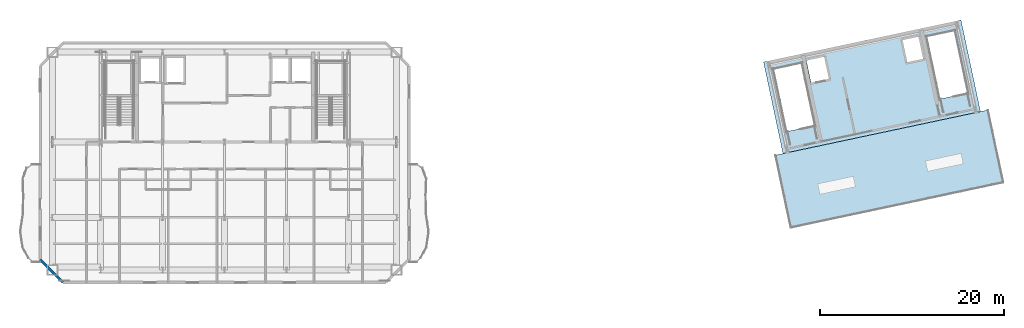
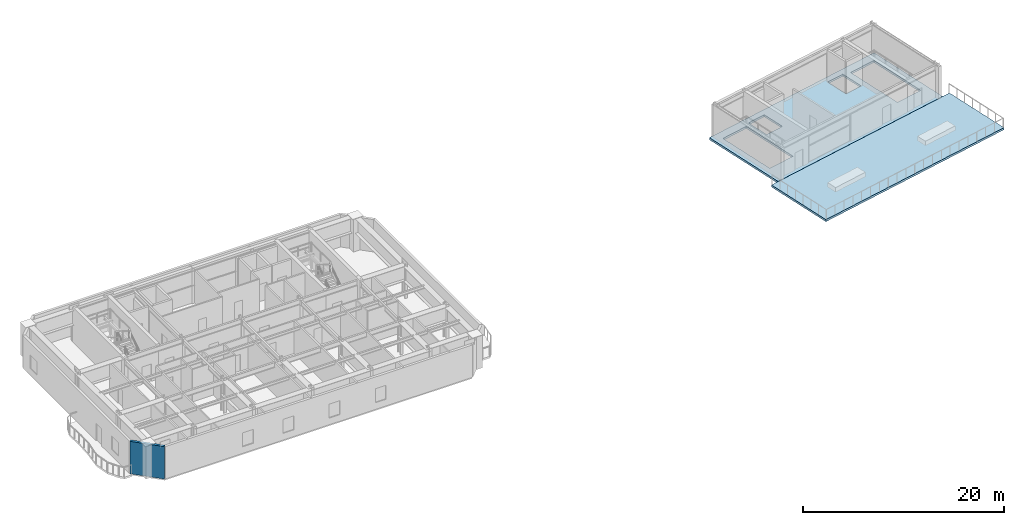
# One storey, part 9 of 16: 2 slabs, 1 wall.
"""IFC4 building model written with IfcOpenShell, lengths in metres."""

from ifc_helpers import new_model, si_unit, direction, frame, frame_2d, origin, place, context, subcontext, project, spatial, polyline, rectangle, outline, extrude, material, layer, layer_set, type_object, element, save


model = new_model("IFC4")

# Units and contexts
model_context = context("Model", 3, precision=1e-05, world=origin(), true_north=direction((0.0, 1.0)))
body_context = subcontext(model_context, "Body", "Model", "MODEL_VIEW")
ifc_project = project(units=[si_unit("LENGTHUNIT", "METRE"), si_unit("AREAUNIT", "SQUARE_METRE"), si_unit("VOLUMEUNIT", "CUBIC_METRE"), si_unit("PLANEANGLEUNIT", "RADIAN"), si_unit("MASSUNIT", "GRAM", prefix="KILO")], contexts=[model_context])

# Site, building, storey
site_placement = place(None, origin())
site = spatial("IfcSite", under=ifc_project, at=site_placement, CompositionType="ELEMENT")
building_placement = place(site_placement, origin())
building = spatial("IfcBuilding", under=site, at=building_placement, Name="Haevon Station Towers", CompositionType="ELEMENT")
storey_placement = place(building_placement, frame((0.0, 0.0, 235.199951171875)))
storey = spatial("IfcBuildingStorey", under=building, at=storey_placement, Name="L65", CompositionType="ELEMENT", Elevation=235.199951171875)

# Slabs
ifc_material_1 = material(Name="Concrete C40/50", Category="concrete")
ifc_layer_1 = layer(ifc_material_1, 0.25)
ifc_layer_set_1 = layer_set([ifc_layer_1], Name="Concrete C40/50")
slab_type_1 = type_object("IfcSlabType", Name="SL-TERR250", PredefinedType="FLOOR", material=ifc_layer_set_1)
slab_1_placement = place(storey_placement, frame((0.0, 0.0, -0.25)))
element("IfcSlab", 1, at=slab_1_placement, inside=storey, type_object=slab_type_1, Name="Tower 2 L65 Rooftop Botanical Sky Garden Terrace", PredefinedType="FLOOR", context=body_context, shape_type="SweptSolid", body=[
    extrude(outline(polyline([(99.148193359375, 28.846923828125), (122.427978515625, 33.795166015625), (120.7470703125, 41.703369140625), (97.467041015625, 36.755126953125), (99.148193359375, 28.846923828125)])), origin(), (0.0, 0.0, 1.0), 0.25),
])
ifc_layer_2 = layer(ifc_material_1, 0.25)
ifc_layer_set_2 = layer_set([ifc_layer_2], Name="Concrete C40/50")
slab_type_2 = type_object("IfcSlabType", Name="SL-TW250", PredefinedType="FLOOR", material=ifc_layer_set_2)
slab_2_placement = place(storey_placement, frame((0.0, 0.0, -0.25)))
element("IfcSlab", 2, at=slab_2_placement, inside=storey, type_object=slab_type_2, Name="SL-T2-HEADHOUSE-L65", PredefinedType="FLOOR", context=body_context, shape_type="SweptSolid", body=[
    extrude(outline(polyline([(98.346435546875, 36.947265625), (119.86572265625, 41.521240234375), (117.744873046875, 51.498291015625), (96.225830078125, 46.92431640625), (98.346435546875, 36.947265625)]), holes=[polyline([(101.8095703125, 39.98974609375), (100.36572265625, 46.781982421875), (97.33349609375, 46.137451171875), (98.77734375, 39.34521484375), (101.8095703125, 39.98974609375)]), polyline([(118.496826171875, 43.53662109375), (117.052978515625, 50.328857421875), (114.020751953125, 49.684326171875), (115.464599609375, 42.89208984375), (118.496826171875, 43.53662109375)]), polyline([(101.43212890625, 44.554931640625), (103.486328125, 44.99169921875), (102.9248046875, 47.632568359375), (100.870849609375, 47.196044921875), (101.43212890625, 44.554931640625)]), polyline([(111.800537109375, 46.7587890625), (113.7568359375, 47.174560546875), (113.1953125, 49.815673828125), (111.239013671875, 49.39990234375), (111.800537109375, 46.7587890625)])]), origin(), (0.0, 0.0, 1.0), 0.25),
])

# Wall
ifc_material_2 = material(Name="Precast concrete C45/55", Category="concrete")
ifc_layer_3 = layer(ifc_material_2, 0.280029296875)
ifc_layer_set_3 = layer_set([ifc_layer_3], Name="Precast concrete C45/55")
wall_type = type_object("IfcWallType", Name="WL-EXT-PIER280", PredefinedType="SOLIDWALL", material=ifc_layer_set_3)
wall_placement = place(storey_placement, frame((19.89990234375, 22.89990234375, 0.0), z_axis=(0.0, 0.0, 1.0), x_axis=(-0.707106781187, 0.707106781187, 0.0)))
element("IfcWall", 3, at=wall_placement, inside=storey, type_object=wall_type, Name="WL-T1-L65-SWC", PredefinedType="SOLIDWALL", context=body_context, shape_type="SweptSolid", body=[
    extrude(rectangle(XDim=3.53564453125, YDim=0.280029296875, at=frame_2d((1.767822265625, 0.0))), origin(), (0.0, 0.0, 1.0), 3.929931640625),
])

save(model, "model.ifc")
